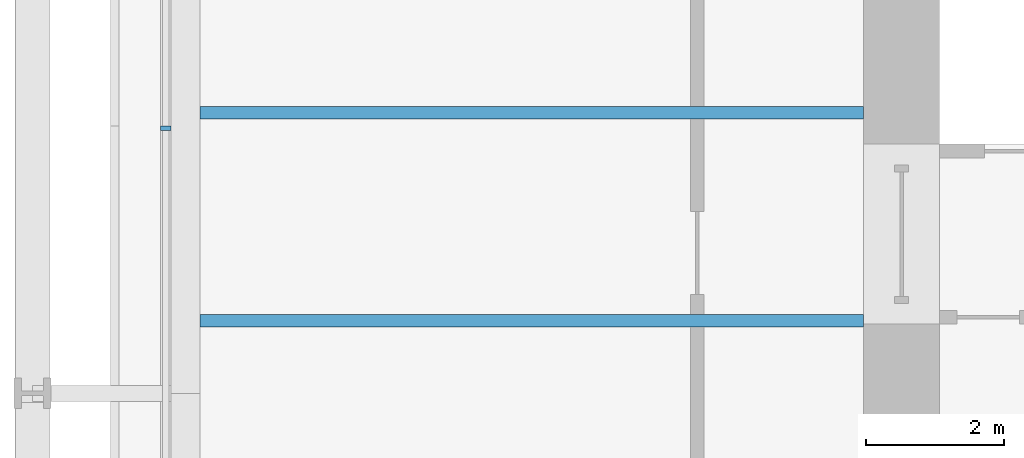
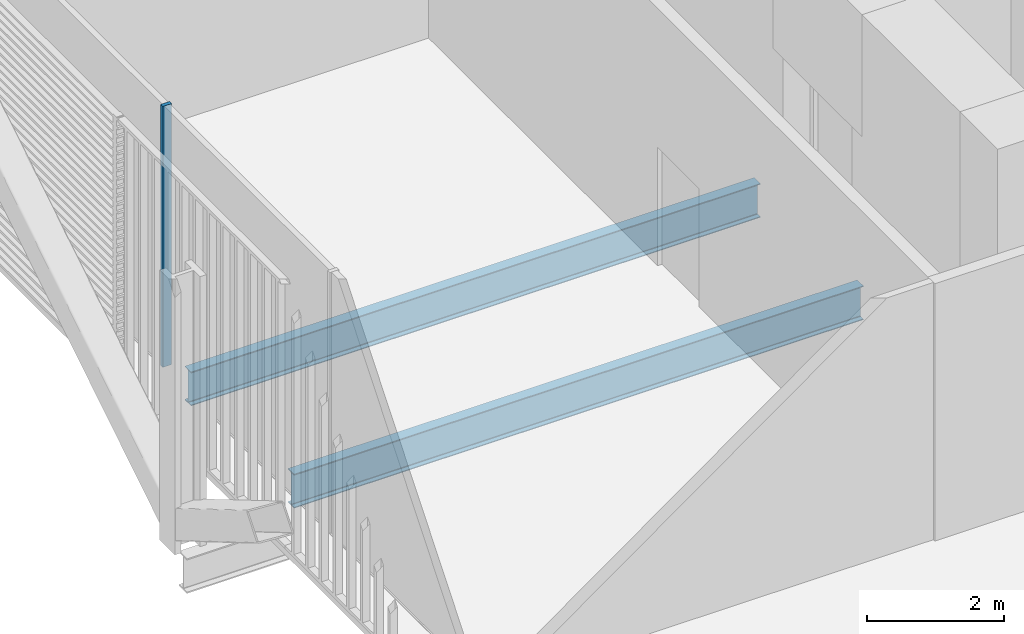
# One storey, part 7 of 26: 2 beams, 1 member, 1 element without a shape of its own.
"""IFC4 building model written with IfcOpenShell, lengths in metres."""

import ifcopenshell
import ifcopenshell.guid

model = None  # the IFC model being written
_history = None  # IfcOwnerHistory: only IFC2X3 demands one
_inside = {}  # id of a spatial element -> (the spatial element, [elements in it])
_under = {}  # id of a project, library or spatial element -> (it, [spatial elements below it])
_declared = {}  # id of a project -> (the project, [libraries it declares])
_typed = {}  # id of a type object -> (the type object, [elements of that type])
_made_of = {}  # id of a material, layer set ... -> (it, [elements and type objects made of it])


def new_model(schema):
    """Start an empty IFC model of exactly this schema.

    Asked for "IFC4X3", IfcOpenShell would pick the latest addendum, in which some entities
    have other attributes; the version numbers below select the first issue.
    IFC2X3 requires an IfcOwnerHistory on every rooted entity: one is made here for all.
    """
    global model, _history
    if schema == "IFC4X3":
        model = ifcopenshell.file(schema_version=(4, 3, 0, 0))
    else:
        model = ifcopenshell.file(schema=schema)
    _inside.clear()
    _under.clear()
    _declared.clear()
    _typed.clear()
    _made_of.clear()
    _history = None
    if model.schema == "IFC2X3":
        org = make("IfcOrganization", Name="unknown")
        user = make(
            "IfcPersonAndOrganization",
            ThePerson=make("IfcPerson", FamilyName="unknown"),
            TheOrganization=org,
        )
        app = make(
            "IfcApplication",
            ApplicationDeveloper=org,
            Version="unknown",
            ApplicationFullName="unknown",
            ApplicationIdentifier="unknown",
        )
        _history = make(
            "IfcOwnerHistory",
            OwningUser=user,
            OwningApplication=app,
            ChangeAction="ADDED",
            CreationDate=0,
        )
    return model


def make(cls, **values):
    """One entity of the class cls with the attributes given. An attribute that is None is left unset."""
    return model.create_entity(
        cls, **{name: value for name, value in values.items() if value is not None}
    )


def rooted(cls, **values):
    """An entity with a GlobalId (a new one), such as an element, a storey or a relation."""
    return make(cls, GlobalId=ifcopenshell.guid.new(), OwnerHistory=_history, **values)


def si_unit(unit_type, name, prefix=None):
    """IfcSIUnit, for example si_unit("LENGTHUNIT", "METRE", prefix="MILLI")."""
    return make("IfcSIUnit", UnitType=unit_type, Prefix=prefix, Name=name)


def assignment(units):
    """IfcUnitAssignment: the units of a project."""
    return None if units is None else make("IfcUnitAssignment", Units=units)


def point(xyz):
    """IfcCartesianPoint."""
    return None if xyz is None else make("IfcCartesianPoint", Coordinates=xyz)


def direction(xyz):
    """IfcDirection."""
    return None if xyz is None else make("IfcDirection", DirectionRatios=xyz)


def frame(location, z_axis=None, x_axis=None):
    """IfcAxis2Placement3D, a coordinate frame: its origin and axes. An axis left out is left unset."""
    return make(
        "IfcAxis2Placement3D",
        Location=point(location),
        Axis=direction(z_axis),
        RefDirection=direction(x_axis),
    )


def frame_2d(location, x_axis=None):
    """IfcAxis2Placement2D, a coordinate frame in the plane: its origin and x axis."""
    return make(
        "IfcAxis2Placement2D", Location=point(location), RefDirection=direction(x_axis)
    )


def origin():
    """The frame at (0, 0, 0) with its axes left unset."""
    return frame((0.0, 0.0, 0.0))


def origin_2d():
    """The frame at (0, 0) in the plane with its x axis left unset."""
    return frame_2d((0.0, 0.0))


def place(relative_to, where):
    """IfcLocalPlacement: puts the frame where relative to a parent placement (None: the world)."""
    return make(
        "IfcLocalPlacement", PlacementRelTo=relative_to, RelativePlacement=where
    )


def context(
    kind, dimensions, precision=None, world=None, true_north=None, identifier=None
):
    """IfcGeometricRepresentationContext, for example the 3D "Model" context."""
    return make(
        "IfcGeometricRepresentationContext",
        ContextIdentifier=identifier,
        ContextType=kind,
        CoordinateSpaceDimension=dimensions,
        Precision=precision,
        WorldCoordinateSystem=world,
        TrueNorth=true_north,
    )


def subcontext(parent, identifier, kind, view, scale=None):
    """IfcGeometricRepresentationSubContext, for example "Body" below "Model"."""
    return make(
        "IfcGeometricRepresentationSubContext",
        ContextIdentifier=identifier,
        ContextType=kind,
        ParentContext=parent,
        TargetScale=scale,
        TargetView=view,
    )


def project(units=None, contexts=None):
    """IfcProject with its units and contexts."""
    return rooted(
        "IfcProject",
        Name="project",
        RepresentationContexts=contexts,
        UnitsInContext=assignment(units),
    )


def spatial(cls, under=None, at=None, **own):
    """A site, building, storey or space (cls), placed at a placement, below another one or the project."""
    s = rooted(cls, ObjectPlacement=at, **own)
    if under is not None:
        _under.setdefault(under.id(), (under, []))[1].append(s)
    return s


def profile(cls, at=None, kind="AREA", **sizes):
    """A parametric profile (cls). Its sizes go by their IFC names, for example OverallWidth=200.0."""
    return make(cls, ProfileType=kind, Position=at, **sizes)


def rectangle(**sizes):
    """IfcRectangleProfileDef."""
    return profile("IfcRectangleProfileDef", **sizes)


def i_section(**sizes):
    """IfcIShapeProfileDef."""
    return profile("IfcIShapeProfileDef", **sizes)


def extrude(swept, where, along, depth):
    """IfcExtrudedAreaSolid: the profile swept, set in the frame where, extruded along a direction by depth."""
    return make(
        "IfcExtrudedAreaSolid",
        SweptArea=swept,
        Position=where,
        ExtrudedDirection=direction(along),
        Depth=depth,
    )


def shape(context_of_items, identifier, shape_type, items):
    """IfcShapeRepresentation: the items that make up one representation, for example the "Body"."""
    return make(
        "IfcShapeRepresentation",
        ContextOfItems=context_of_items,
        RepresentationIdentifier=identifier,
        RepresentationType=shape_type,
        Items=items,
    )


def material(Name=None, Category=None):
    """IfcMaterial."""
    return make("IfcMaterial", Name=Name, Category=Category)


def layer(
    of_material, thickness, ventilated=None, Name=None, Category=None, Priority=None
):
    """IfcMaterialLayer: one layer of a wall or slab, of a material (None: an air gap)."""
    return make(
        "IfcMaterialLayer",
        Material=of_material,
        LayerThickness=thickness,
        IsVentilated=ventilated,
        Name=Name,
        Category=Category,
        Priority=Priority,
    )


def layer_set(layers, Name=None):
    """IfcMaterialLayerSet."""
    return make("IfcMaterialLayerSet", MaterialLayers=layers, LayerSetName=Name)


def material_profile(
    of_material, cross_section, Name=None, Category=None, Priority=None
):
    """IfcMaterialProfile: a cross section and its material."""
    return make(
        "IfcMaterialProfile",
        Name=Name,
        Material=of_material,
        Profile=cross_section,
        Priority=Priority,
        Category=Category,
    )


def profile_set(profiles, Name=None, composite=None):
    """IfcMaterialProfileSet."""
    return make(
        "IfcMaterialProfileSet",
        Name=Name,
        MaterialProfiles=profiles,
        CompositeProfile=composite,
    )


def made_of(thing, what):
    """Note that an element or type object is made of a material, layer set ...; save() writes the relation."""
    if what is not None:
        _made_of.setdefault(what.id(), (what, []))[1].append(thing)
    return thing


def type_object(cls, material=None, **own):
    """A type object (cls), such as IfcWallType, which elements share."""
    return made_of(rooted(cls, **own), material)


def element(
    cls,
    number,
    at=None,
    inside=None,
    cuts=None,
    type_object=None,
    material=None,
    context=None,
    identifier="Body",
    shape_type=None,
    held_by="IfcProductDefinitionShape",
    body=None,
    shapes=None,
    **own,
):
    """One element of the class cls, such as IfcWall. Its Tag is "e" and its number.

    at: its placement. inside: the storey or other place that contains it. cuts: it is an
    opening in that element (IfcRelVoidsElement). A single representation is given by context,
    identifier, shape_type and body (its items); several are given by shapes. held_by: the class
    of the entity that holds the representations. save() writes the other relations.
    """
    e = rooted(cls, Tag="e%d" % number, ObjectPlacement=at, **own)
    if body is not None:
        shapes = [shape(context, identifier, shape_type, body)]
    if shapes is not None:
        e.Representation = make(held_by, Representations=shapes)
    if inside is not None:
        _inside.setdefault(inside.id(), (inside, []))[1].append(e)
    if cuts is not None:
        rooted(
            "IfcRelVoidsElement", RelatingBuildingElement=cuts, RelatedOpeningElement=e
        )
    if type_object is not None:
        _typed.setdefault(type_object.id(), (type_object, []))[1].append(e)
    return made_of(e, material)


def aggregate(whole, parts):
    """IfcRelAggregates: a whole, such as a stair, and the parts it consists of."""
    return rooted("IfcRelAggregates", RelatingObject=whole, RelatedObjects=parts)


def save(model, path):
    """Write the relations noted so far, then the file.

    IfcRelAggregates (storeys below a building ...), IfcRelContainedInSpatialStructure (elements
    in a storey), IfcRelDefinesByType, IfcRelAssociatesMaterial and IfcRelDeclares: one each for
    every whole, place, type object, material and project.
    """
    for whole, parts in _under.values():
        aggregate(whole, parts)
    for where, things in _inside.values():
        rooted(
            "IfcRelContainedInSpatialStructure",
            RelatedElements=things,
            RelatingStructure=where,
        )
    for kind, things in _typed.values():
        rooted("IfcRelDefinesByType", RelatedObjects=things, RelatingType=kind)
    for what, things in _made_of.values():
        rooted("IfcRelAssociatesMaterial", RelatedObjects=things, RelatingMaterial=what)
    for by, libraries in _declared.values():
        rooted("IfcRelDeclares", RelatingContext=by, RelatedDefinitions=libraries)
    model.write(path)


model = new_model("IFC4")

# Units and contexts
model_context = context("Model", 3, precision=1e-05, world=origin(), true_north=direction((0.0, 1.0)))
body_context = subcontext(model_context, "Body", "Model", "MODEL_VIEW")
ifc_project = project(units=[si_unit("LENGTHUNIT", "METRE"), si_unit("AREAUNIT", "SQUARE_METRE"), si_unit("VOLUMEUNIT", "CUBIC_METRE"), si_unit("PLANEANGLEUNIT", "RADIAN"), si_unit("MASSUNIT", "GRAM", prefix="KILO")], contexts=[model_context])

# Site, building, storey
site_placement = place(None, origin())
site = spatial("IfcSite", under=ifc_project, at=site_placement, CompositionType="ELEMENT")
building_placement = place(site_placement, origin())
building = spatial("IfcBuilding", under=site, at=building_placement, Name="Millrace Tower", CompositionType="ELEMENT")
storey_placement = place(building_placement, frame((0.0, 0.0, 11.300048828125)))
storey = spatial("IfcBuildingStorey", under=building, at=storey_placement, Name="L03", CompositionType="ELEMENT", Elevation=11.300048828125)

# Curtain wall, member
ifc_material_1 = material(Name="Aluminium and glass", Category="aluminium")
ifc_layer = layer(ifc_material_1, 0.14990234375)
ifc_layer_set = layer_set([ifc_layer], Name="Aluminium and glass")
curtain_wall_type = type_object("IfcCurtainWallType", Name="CW-2 data hall insulated curtain wall", PredefinedType="NOTDEFINED", material=ifc_layer_set)
curtain_wall_placement = place(storey_placement, origin())
curtain_wall = element("IfcCurtainWall", 1, at=curtain_wall_placement, inside=storey, type_object=curtain_wall_type, Name="Curtain wall AW3-F06 L03", PredefinedType="NOTDEFINED")
ifc_material_2 = material(Name="Aluminium", Category="aluminium")
ifc_material_profile_1 = material_profile(ifc_material_2, rectangle(XDim=0.06494140625, YDim=0.14990234375, at=origin_2d()))
ifc_profile_set_1 = profile_set([ifc_material_profile_1], Name="Aluminium")
member_type = type_object("IfcMemberType", Name="CW-2 data hall insulated curtain wall mullion", PredefinedType="MULLION", material=ifc_profile_set_1)
member_placement = place(storey_placement, frame((-25.074951171875, -3.223388671875, 0.159912109375), z_axis=(0.0, 0.0, 1.0), x_axis=(0.0, -1.0, 0.0)))
member = element("IfcMember", 2, at=member_placement, type_object=member_type, Name="CW2 mullion AW3-F06.6", PredefinedType="MULLION", context=body_context, shape_type="SweptSolid", body=[
    extrude(rectangle(XDim=0.06494140625, YDim=0.14990234375, at=origin_2d()), origin(), (0.0, 0.0, 1.0), 4.64013671875),
])
aggregate(curtain_wall, [member])

# Beams
ifc_material_3 = material(Name="Steel ASTM A992 Grade 50", Category="steel")
ifc_material_profile_2 = material_profile(ifc_material_3, i_section(OverallWidth=0.1787109375, OverallDepth=0.60205078125, WebThickness=0.010986328125, FlangeThickness=0.014892578125, FilletRadius=0.0126953125, at=origin_2d()))
ifc_profile_set_2 = profile_set([ifc_material_profile_2], Name="Steel ASTM A992 Grade 50")
beam_type = type_object("IfcBeamType", Name="Floor beam W24x62", PredefinedType="JOIST", material=ifc_profile_set_2)
for number, where, z_axis, x_axis, name in (
    (3, (-24.578369140625, -6.0, -0.526123046875), (1.0, 0.0, 0.0), (0.0, 1.0, 0.0), "BM-A-L03-S1-S021"),
    (4, (-24.578369140625, -3.0, -0.526123046875), (1.0, 0.0, 0.0), (0.0, 1.0, 0.0), "BM-A-L03-S1-S024"),
):
    element("IfcBeam", number, at=place(storey_placement, frame(where, z_axis=z_axis, x_axis=x_axis)), inside=storey, type_object=beam_type, Name=name, PredefinedType="JOIST", context=body_context, shape_type="SweptSolid", body=[
        extrude(i_section(OverallWidth=0.1787109375, OverallDepth=0.60205078125, WebThickness=0.010986328125, FlangeThickness=0.014892578125, FilletRadius=0.0126953125, at=origin_2d()), origin(), (0.0, 0.0, 1.0), 9.578369140625),
    ])

save(model, "model.ifc")
